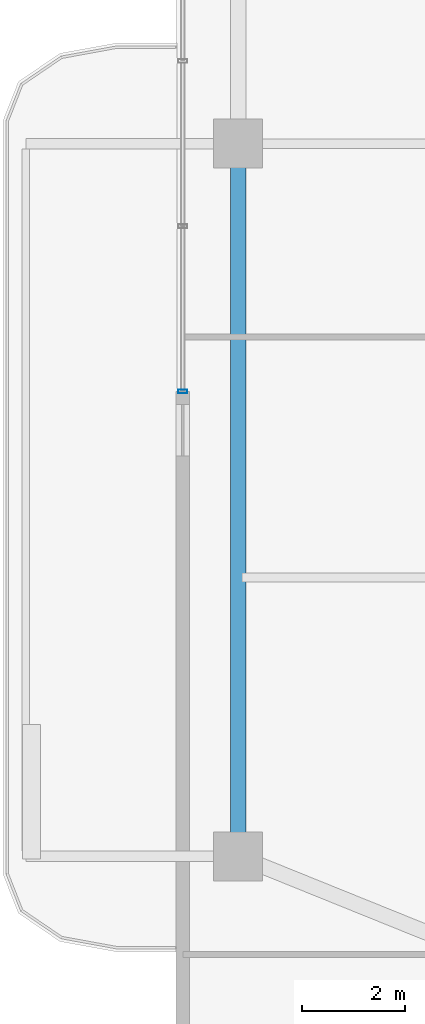
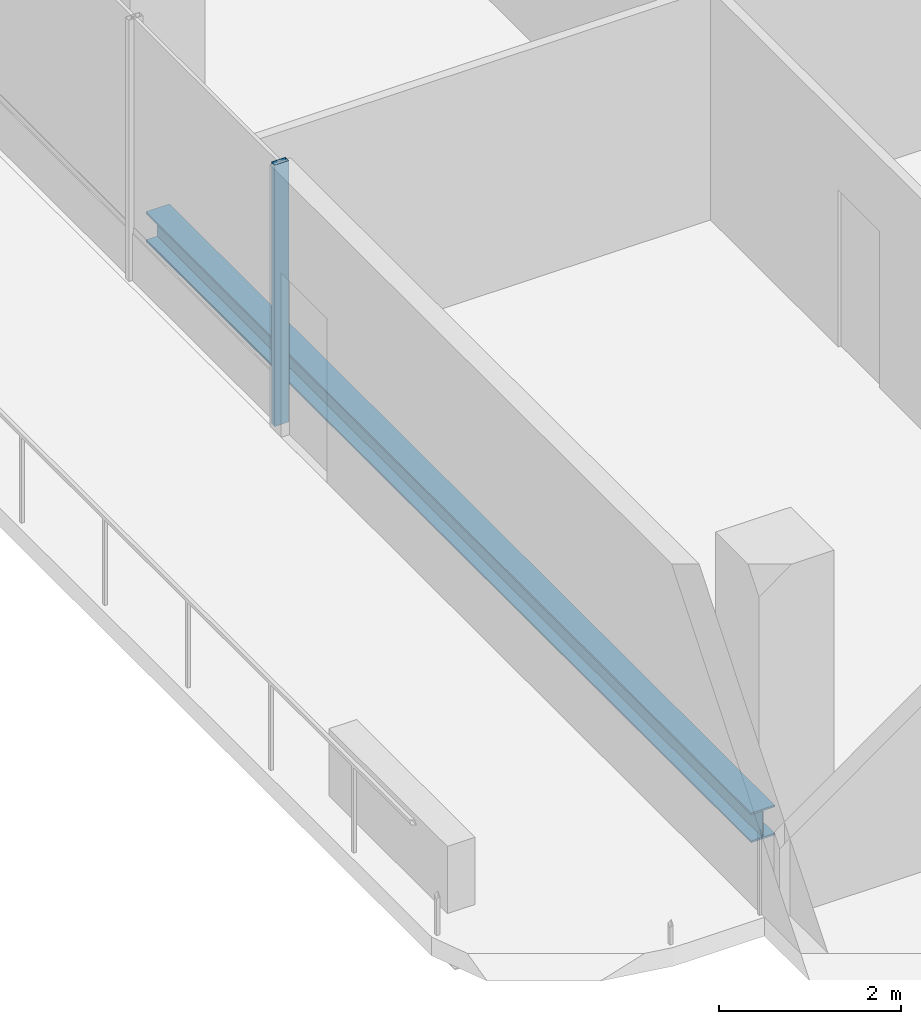
# One storey, part 4 of 25: 1 beam, 1 member, 1 element without a shape of its own.
"""IFC4 building model written with IfcOpenShell, lengths in metres."""

from ifc_helpers import new_model, si_unit, direction, frame, origin, origin_2d, place, context, subcontext, project, spatial, hollow_rectangle, i_section, extrude, material, layer, layer_set, material_profile, profile_set, type_object, element, aggregate, save


model = new_model("IFC4")

# Units and contexts
model_context = context("Model", 3, precision=1e-05, world=origin(), true_north=direction((0.0, 1.0)))
body_context = subcontext(model_context, "Body", "Model", "MODEL_VIEW")
ifc_project = project(units=[si_unit("LENGTHUNIT", "METRE"), si_unit("AREAUNIT", "SQUARE_METRE"), si_unit("VOLUMEUNIT", "CUBIC_METRE"), si_unit("PLANEANGLEUNIT", "RADIAN"), si_unit("MASSUNIT", "GRAM", prefix="KILO")], contexts=[model_context])

# Site, building, storey
site_placement = place(None, origin())
site = spatial("IfcSite", under=ifc_project, at=site_placement, CompositionType="ELEMENT")
building_placement = place(site_placement, origin())
building = spatial("IfcBuilding", under=site, at=building_placement, Name="Belovzor Exchange Tower", CompositionType="ELEMENT")
storey_placement = place(building_placement, frame((0.0, 0.0, 269.10009765625)))
storey = spatial("IfcBuildingStorey", under=building, at=storey_placement, Name="L67", CompositionType="ELEMENT", Elevation=269.10009765625)

# Curtain wall, member
ifc_material_1 = material(Name="Anodised Aluminium Framing", Category="aluminium")
ifc_layer = layer(ifc_material_1, 0.179931640625)
ifc_layer_set = layer_set([ifc_layer], Name="Anodised Aluminium Framing")
curtain_wall_type = type_object("IfcCurtainWallType", Name="Recessed Loggia Low-Iron Triple-Glazed Curtain Wall", PredefinedType="NOTDEFINED", material=ifc_layer_set)
curtain_wall_placement = place(storey_placement, origin())
curtain_wall = element("IfcCurtainWall", 1, at=curtain_wall_placement, inside=storey, type_object=curtain_wall_type, Name="CW3 Recessed Loggia Low-Iron Triple-Glazed Curtain Wall L67", PredefinedType="NOTDEFINED")
ifc_material_2 = material(Name="Steel S355", Category="steel")
ifc_material_profile_1 = material_profile(ifc_material_2, hollow_rectangle(XDim=0.074951171875, YDim=0.179931640625, WallThickness=0.0048828125, at=origin_2d()))
ifc_profile_set_1 = profile_set([ifc_material_profile_1], Name="Steel S355")
member_type = type_object("IfcMemberType", Name="Thermally Broken Curtain Wall Mullion 180x75", PredefinedType="MULLION", material=ifc_profile_set_1)
member_placement = place(storey_placement, frame((4.030029296875, 24.0, 0.0), z_axis=(0.0, 0.0, 1.0), x_axis=(0.0, 1.0, 0.0)))
member = element("IfcMember", 2, at=member_placement, type_object=member_type, Name="CW-M180 Curtain Wall Mullion 1", PredefinedType="MULLION", context=body_context, shape_type="SweptSolid", body=[
    extrude(hollow_rectangle(XDim=0.074951171875, YDim=0.179931640625, WallThickness=0.0048828125, at=origin_2d()), origin(), (0.0, 0.0, 1.0), 3.5),
])
aggregate(curtain_wall, [member])

# Beam
ifc_material_3 = material(Name="Steel S355", Category="steel")
ifc_material_profile_2 = material_profile(ifc_material_3, i_section(OverallWidth=0.300048828125, OverallDepth=0.39990234375, WebThickness=0.013427734375, FlangeThickness=0.02392578125, at=origin_2d()))
ifc_profile_set_2 = profile_set([ifc_material_profile_2], Name="Steel S355")
beam_type = type_object("IfcBeamType", Name="Zone 5 Primary Girder HEB 400", PredefinedType="BEAM", material=ifc_profile_set_2)
beam_placement = place(storey_placement, frame((5.10009765625, 28.5390625, -0.4501953125), z_axis=(0.0, -1.0, 0.0), x_axis=(1.0, 0.0, 0.0)))
element("IfcBeam", 3, at=beam_placement, inside=storey, type_object=beam_type, Name="FG-Z5 Zone 5 Primary Girder HEB 400", PredefinedType="BEAM", context=body_context, shape_type="SweptSolid", body=[
    extrude(i_section(OverallWidth=0.300048828125, OverallDepth=0.39990234375, WebThickness=0.013427734375, FlangeThickness=0.02392578125, at=origin_2d()), origin(), (0.0, 0.0, 1.0), 13.278076171875),
])

save(model, "model.ifc")
